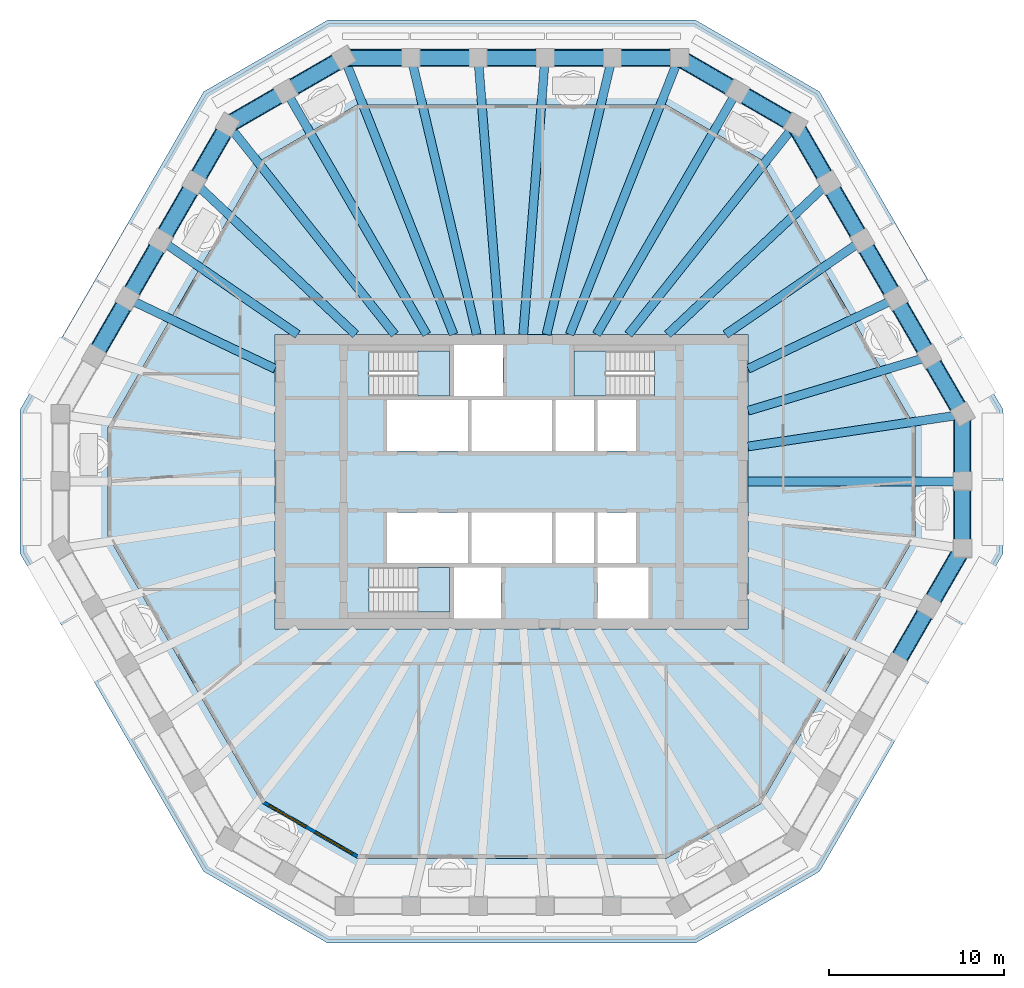
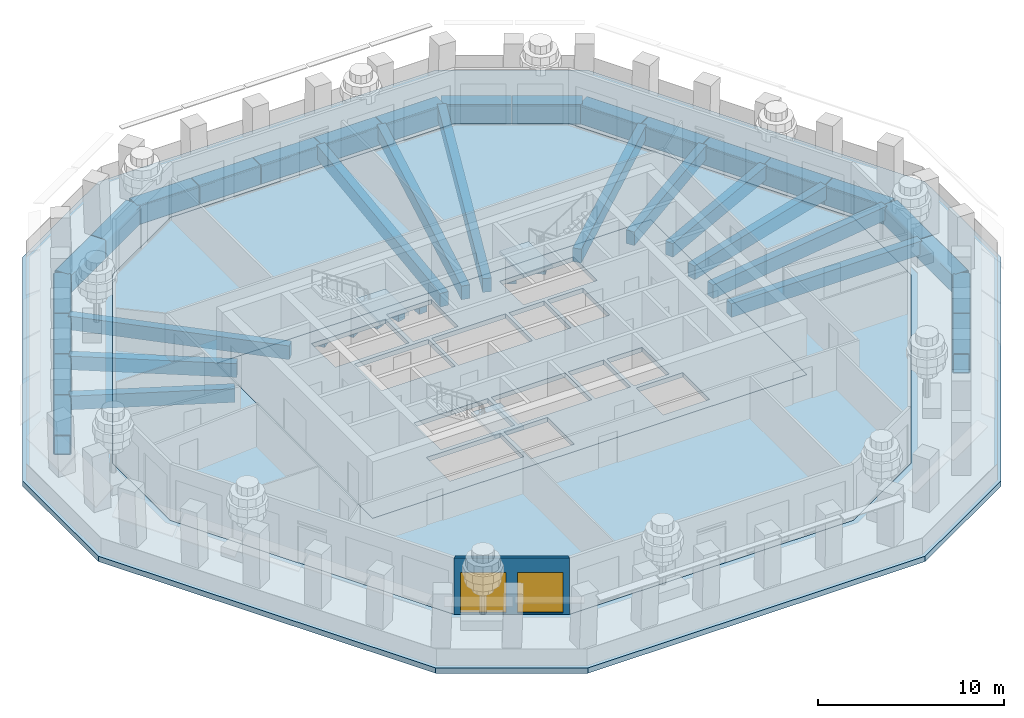
# One storey, part 2 of 12: 41 beams, 6 slabs, 2 windows, 1 wall, 2 openings, 3 elements without a shape of their own.
"""IFC4 building model written with IfcOpenShell, lengths in metres."""

from ifc_helpers import new_model, si_unit, direction, frame, frame_2d, origin, origin_2d, place, context, subcontext, project, spatial, polyline, rectangle, hollow_rectangle, outline, extrude, material, layer, layer_set, material_profile, profile_set, type_object, element, fill, aggregate, save


model = new_model("IFC4")

# Units and contexts
model_context = context("Model", 3, precision=1e-05, world=origin(), true_north=direction((0.0, 1.0)))
body_context = subcontext(model_context, "Body", "Model", "MODEL_VIEW")
ifc_project = project(units=[si_unit("LENGTHUNIT", "METRE"), si_unit("AREAUNIT", "SQUARE_METRE"), si_unit("VOLUMEUNIT", "CUBIC_METRE"), si_unit("PLANEANGLEUNIT", "RADIAN"), si_unit("MASSUNIT", "GRAM", prefix="KILO")], contexts=[model_context])

# Site, building, storey
site_placement = place(None, origin())
site = spatial("IfcSite", under=ifc_project, at=site_placement, CompositionType="ELEMENT")
building_placement = place(site_placement, origin())
building = spatial("IfcBuilding", under=site, at=building_placement, Name="Frailejon Research Tower", CompositionType="ELEMENT")
storey_placement = place(building_placement, frame((0.0, 0.0, 211.39990234375)))
storey = spatial("IfcBuildingStorey", under=building, at=storey_placement, Name="L45", CompositionType="ELEMENT", Elevation=211.39990234375)

# Beams
ifc_material_1 = material(Name="Steel S355", Category="steel")
ifc_material_profile_1 = material_profile(ifc_material_1, hollow_rectangle(XDim=1.0, YDim=1.300048828125, WallThickness=0.06005859375, InnerFilletRadius=0.06005859375, OuterFilletRadius=0.1201171875, at=origin_2d()), Name="Belt chord")
ifc_profile_set_1 = profile_set([ifc_material_profile_1], Name="Steel S355")
beam_type_1 = type_object("IfcBeamType", Name="Belt chord", PredefinedType="BEAM", material=ifc_profile_set_1)
for number, where, z_axis, x_axis, name in (
    (1, (25.734375, -3.806640625, -1.0), (0.0, 1.0, 0.0), (-1.0, 0.0, 0.0), "Belt chord"),
    (2, (25.734375, 0.02001953125, -1.0), (0.0, 1.0, 0.0), (-1.0, 0.0, 0.0), "Belt chord"),
):
    element("IfcBeam", number, at=place(storey_placement, frame(where, z_axis=z_axis, x_axis=x_axis)), inside=storey, type_object=beam_type_1, Name=name, PredefinedType="BEAM", context=body_context, shape_type="SweptSolid", body=[
        extrude(hollow_rectangle(XDim=1.0, YDim=1.300048828125, WallThickness=0.06005859375, InnerFilletRadius=0.06005859375, OuterFilletRadius=0.1201171875, at=origin_2d()), origin(), (0.0, 0.0, 1.0), 3.78662109375),
    ])
for number, where, z_axis, x_axis, name in (
    (3, (25.724365234375, 3.843994140625, -1.0), (-0.500000040646, 0.866025380318, 0.0), (-0.866025380318, -0.500000040646, 0.0), "Belt chord"),
    (4, (23.813720703125, 7.1533203125, -1.0), (-0.500000040646, 0.866025380318, 0.0), (-0.866025380318, -0.500000040646, 0.0), "Belt chord"),
    (5, (21.903076171875, 10.462646484375, -1.0), (-0.500000040646, 0.866025380318, 0.0), (-0.866025380318, -0.500000040646, 0.0), "Belt chord"),
    (6, (19.992431640625, 13.77197265625, -1.0), (-0.500000040646, 0.866025380318, 0.0), (-0.866025380318, -0.500000040646, 0.0), "Belt chord"),
    (7, (18.081787109375, 17.081298828125, -1.0), (-0.500000040646, 0.866025380318, 0.0), (-0.866025380318, -0.500000040646, 0.0), "Belt chord"),
):
    element("IfcBeam", number, at=place(storey_placement, frame(where, z_axis=z_axis, x_axis=x_axis)), inside=storey, type_object=beam_type_1, Name=name, PredefinedType="BEAM", context=body_context, shape_type="SweptSolid", body=[
        extrude(hollow_rectangle(XDim=1.0, YDim=1.300048828125, WallThickness=0.06005859375, InnerFilletRadius=0.06005859375, OuterFilletRadius=0.1201171875, at=origin_2d()), origin(), (0.0, 0.0, 1.0), 3.78125),
    ])
for number, where, z_axis, x_axis, name in (
    (8, (16.163818359375, 20.38330078125, -1.0), (-0.86602453317, 0.500001507946, 0.0), (-0.500001507946, -0.86602453317, 0.0), "Belt chord"),
    (9, (12.849853515625, 22.296630859375, -1.0), (-0.86602453317, 0.500001507946, 0.0), (-0.500001507946, -0.86602453317, 0.0), "Belt chord"),
):
    element("IfcBeam", number, at=place(storey_placement, frame(where, z_axis=z_axis, x_axis=x_axis)), inside=storey, type_object=beam_type_1, Name=name, PredefinedType="BEAM", context=body_context, shape_type="SweptSolid", body=[
        extrude(hollow_rectangle(XDim=1.0, YDim=1.300048828125, WallThickness=0.06005859375, InnerFilletRadius=0.06005859375, OuterFilletRadius=0.1201171875, at=origin_2d()), origin(), (0.0, 0.0, 1.0), 3.78662109375),
    ])
for number, where, z_axis, x_axis, name in (
    (10, (9.533203125, 24.199951171875, -1.0), (-1.0, 0.0, 0.0), (0.0, -1.0, 0.0), "Belt chord"),
    (11, (5.7119140625, 24.199951171875, -1.0), (-1.0, 0.0, 0.0), (0.0, -1.0, 0.0), "Belt chord"),
    (12, (1.890625, 24.199951171875, -1.0), (-1.0, 0.0, 0.0), (0.0, -1.0, 0.0), "Belt chord"),
    (13, (-1.9306640625, 24.199951171875, -1.0), (-1.0, 0.0, 0.0), (0.0, -1.0, 0.0), "Belt chord"),
    (14, (-5.751953125, 24.199951171875, -1.0), (-1.0, 0.0, 0.0), (0.0, -1.0, 0.0), "Belt chord"),
):
    element("IfcBeam", number, at=place(storey_placement, frame(where, z_axis=z_axis, x_axis=x_axis)), inside=storey, type_object=beam_type_1, Name=name, PredefinedType="BEAM", context=body_context, shape_type="SweptSolid", body=[
        extrude(hollow_rectangle(XDim=1.0, YDim=1.300048828125, WallThickness=0.06005859375, InnerFilletRadius=0.06005859375, OuterFilletRadius=0.1201171875, at=origin_2d()), origin(), (0.0, 0.0, 1.0), 3.78125),
    ])
for number, where, z_axis, x_axis, name in (
    (15, (-9.570556640625, 24.18994140625, -1.0), (-0.86602453317, -0.500001507946, 0.0), (0.500001507946, -0.86602453317, 0.0), "Belt chord"),
    (16, (-12.884521484375, 22.276611328125, -1.0), (-0.86602453317, -0.500001507946, 0.0), (0.500001507946, -0.86602453317, 0.0), "Belt chord"),
):
    element("IfcBeam", number, at=place(storey_placement, frame(where, z_axis=z_axis, x_axis=x_axis)), inside=storey, type_object=beam_type_1, Name=name, PredefinedType="BEAM", context=body_context, shape_type="SweptSolid", body=[
        extrude(hollow_rectangle(XDim=1.0, YDim=1.300048828125, WallThickness=0.06005859375, InnerFilletRadius=0.06005859375, OuterFilletRadius=0.1201171875, at=origin_2d()), origin(), (0.0, 0.0, 1.0), 3.78662109375),
    ])
for number, where, z_axis, x_axis, name in (
    (17, (-16.191162109375, 20.35595703125, -1.0), (-0.500000040646, -0.866025380318, 0.0), (0.866025380318, -0.500000040646, 0.0), "Belt chord"),
    (18, (-18.101806640625, 17.046630859375, -1.0), (-0.500000040646, -0.866025380318, 0.0), (0.866025380318, -0.500000040646, 0.0), "Belt chord"),
    (19, (-20.012451171875, 13.7373046875, -1.0), (-0.500000040646, -0.866025380318, 0.0), (0.866025380318, -0.500000040646, 0.0), "Belt chord"),
    (20, (-21.923095703125, 10.427978515625, -1.0), (-0.500000040646, -0.866025380318, 0.0), (0.866025380318, -0.500000040646, 0.0), "Belt chord"),
    (21, (21.923095703125, -10.427978515625, -1.0), (0.500000040646, 0.866025380318, 0.0), (-0.866025380318, 0.500000040646, 0.0), "Belt chord"),
    (22, (23.833740234375, -7.11865234375, -1.0), (0.500000040646, 0.866025380318, 0.0), (-0.866025380318, 0.500000040646, 0.0), "Belt chord"),
):
    element("IfcBeam", number, at=place(storey_placement, frame(where, z_axis=z_axis, x_axis=x_axis)), inside=storey, type_object=beam_type_1, Name=name, PredefinedType="BEAM", context=body_context, shape_type="SweptSolid", body=[
        extrude(hollow_rectangle(XDim=1.0, YDim=1.300048828125, WallThickness=0.06005859375, InnerFilletRadius=0.06005859375, OuterFilletRadius=0.1201171875, at=origin_2d()), origin(), (0.0, 0.0, 1.0), 3.78125),
    ])
ifc_material_2 = material(Name="Concrete C60/75", Category="concrete")
ifc_material_profile_2 = material_profile(ifc_material_2, rectangle(XDim=0.5, YDim=0.89990234375, at=origin_2d()), Name="Girder 500x900")
ifc_profile_set_2 = profile_set([ifc_material_profile_2], Name="Concrete C60/75")
beam_type_2 = type_object("IfcBeamType", Name="Girder 500x900", PredefinedType="BEAM", material=ifc_profile_set_2)
beam_1_placement = place(storey_placement, frame((25.359375, 0.0, -0.75), z_axis=(-1.0, 0.0, 0.0), x_axis=(0.0, -1.0, 0.0)))
element("IfcBeam", 23, at=beam_1_placement, inside=storey, type_object=beam_type_2, Name="Girder 500x900", PredefinedType="BEAM", context=body_context, shape_type="SweptSolid", body=[
    extrude(rectangle(XDim=0.5, YDim=0.89990234375, at=origin_2d()), origin(), (0.0, 0.0, 1.0), 11.859375),
])
beam_2_placement = place(storey_placement, frame((25.324462890625, 3.765625, -0.75), z_axis=(-0.989124149888, -0.147083024539, 0.0), x_axis=(0.147083024539, -0.989124149888, 0.0)))
element("IfcBeam", 24, at=beam_2_placement, inside=storey, type_object=beam_type_2, Name="Girder 500x900", PredefinedType="BEAM", context=body_context, shape_type="SweptSolid", body=[
    extrude(rectangle(XDim=0.5, YDim=0.89990234375, at=origin_2d()), origin(), (0.0, 0.0, 1.0), 11.95458984375),
])
beam_3_placement = place(storey_placement, frame((23.45068359375, 7.024169921875, -0.75), z_axis=(-0.957951689107, -0.286929540719, 0.0), x_axis=(0.286929540719, -0.957951689107, 0.0)))
element("IfcBeam", 25, at=beam_3_placement, inside=storey, type_object=beam_type_2, Name="Girder 500x900", PredefinedType="BEAM", context=body_context, shape_type="SweptSolid", body=[
    extrude(rectangle(XDim=0.5, YDim=0.89990234375, at=origin_2d()), origin(), (0.0, 0.0, 1.0), 10.387451171875),
])
beam_4_placement = place(storey_placement, frame((21.572998046875, 10.283203125, -0.75), z_axis=(-0.902692922799, -0.430285355465, 0.0), x_axis=(0.430285355465, -0.902692922799, 0.0)))
element("IfcBeam", 26, at=beam_4_placement, inside=storey, type_object=beam_type_2, Name="Girder 500x900", PredefinedType="BEAM", context=body_context, shape_type="SweptSolid", body=[
    extrude(rectangle(XDim=0.5, YDim=0.89990234375, at=origin_2d()), origin(), (0.0, 0.0, 1.0), 8.943359375),
])
beam_5_placement = place(storey_placement, frame((19.692138671875, 13.541259765625, -0.75), z_axis=(-0.823979113935, -0.566620172425, 0.0), x_axis=(0.566620172425, -0.823979113935, 0.0)))
element("IfcBeam", 27, at=beam_5_placement, inside=storey, type_object=beam_type_2, Name="Girder 500x900", PredefinedType="BEAM", context=body_context, shape_type="SweptSolid", body=[
    extrude(rectangle(XDim=0.5, YDim=0.89990234375, at=origin_2d()), origin(), (0.0, 0.0, 1.0), 9.07373046875),
])
beam_6_placement = place(storey_placement, frame((17.80859375, 16.796630859375, -0.75), z_axis=(-0.727472748297, -0.68613657568, 0.0), x_axis=(0.68613657568, -0.727472748297, 0.0)))
element("IfcBeam", 28, at=beam_6_placement, inside=storey, type_object=beam_type_2, Name="Girder 500x900", PredefinedType="BEAM", context=body_context, shape_type="SweptSolid", body=[
    extrude(rectangle(XDim=0.5, YDim=0.89990234375, at=origin_2d()), origin(), (0.0, 0.0, 1.0), 12.23779296875),
])
beam_7_placement = place(storey_placement, frame((15.9443359375, 20.0751953125, -0.75), z_axis=(-0.621929399044, -0.783073318793, 0.0), x_axis=(0.783073318793, -0.621929399044, 0.0)))
element("IfcBeam", 29, at=beam_7_placement, inside=storey, type_object=beam_type_2, Name="Girder 500x900", PredefinedType="BEAM", context=body_context, shape_type="SweptSolid", body=[
    extrude(rectangle(XDim=0.5, YDim=0.89990234375, at=origin_2d()), origin(), (0.0, 0.0, 1.0), 14.90966796875),
])
beam_8_placement = place(storey_placement, frame((12.6796875, 21.9619140625, -0.75), z_axis=(-0.499990558751, -0.866030854623, 0.0), x_axis=(0.866030854623, -0.499990558751, 0.0)))
element("IfcBeam", 30, at=beam_8_placement, inside=storey, type_object=beam_type_2, Name="Girder 500x900", PredefinedType="BEAM", context=body_context, shape_type="SweptSolid", body=[
    extrude(rectangle(XDim=0.5, YDim=0.89990234375, at=origin_2d()), origin(), (0.0, 0.0, 1.0), 15.659912109375),
])
beam_9_placement = place(storey_placement, frame((9.40087890625, 23.814453125, -0.75), z_axis=(-0.367180622344, -0.93014966031, 0.0), x_axis=(0.93014966031, -0.367180622344, 0.0)))
element("IfcBeam", 31, at=beam_9_placement, inside=storey, type_object=beam_type_2, Name="Girder 500x900", PredefinedType="BEAM", context=body_context, shape_type="SweptSolid", body=[
    extrude(rectangle(XDim=0.5, YDim=0.89990234375, at=origin_2d()), origin(), (0.0, 0.0, 1.0), 16.572021484375),
])
beam_10_placement = place(storey_placement, frame((5.64208984375, 23.821044921875, -0.75), z_axis=(-0.230479051582, -0.973077287158, 0.0), x_axis=(0.973077287158, -0.230479051582, 0.0)))
element("IfcBeam", 32, at=beam_10_placement, inside=storey, type_object=beam_type_2, Name="Girder 500x900", PredefinedType="BEAM", context=body_context, shape_type="SweptSolid", body=[
    extrude(rectangle(XDim=0.5, YDim=0.89990234375, at=origin_2d()), origin(), (0.0, 0.0, 1.0), 15.847900390625),
])
for number, where, z_axis, x_axis, name in (
    (33, (1.881103515625, 23.824462890625, -0.75), (-0.078721055235, -0.996896682441, 0.0), (0.996896682441, -0.078721055235, 0.0), "Girder 500x900"),
    (34, (-1.881103515625, 23.824462890625, -0.75), (0.078721055235, -0.996896682441, 0.0), (0.996896682441, 0.078721055235, 0.0), "Girder 500x900"),
):
    element("IfcBeam", number, at=place(storey_placement, frame(where, z_axis=z_axis, x_axis=x_axis)), inside=storey, type_object=beam_type_2, Name=name, PredefinedType="BEAM", context=body_context, shape_type="SweptSolid", body=[
        extrude(rectangle(XDim=0.5, YDim=0.89990234375, at=origin_2d()), origin(), (0.0, 0.0, 1.0), 15.47265625),
    ])
beam_11_placement = place(storey_placement, frame((-5.64208984375, 23.821044921875, -0.75), z_axis=(0.230479051582, -0.973077287158, 0.0), x_axis=(0.973077287158, 0.230479051582, 0.0)))
element("IfcBeam", 35, at=beam_11_placement, inside=storey, type_object=beam_type_2, Name="Girder 500x900", PredefinedType="BEAM", context=body_context, shape_type="SweptSolid", body=[
    extrude(rectangle(XDim=0.5, YDim=0.89990234375, at=origin_2d()), origin(), (0.0, 0.0, 1.0), 15.847900390625),
])
beam_12_placement = place(storey_placement, frame((-9.413330078125, 23.845703125, -0.75), z_axis=(0.367186619097, -0.930147293044, 0.0), x_axis=(0.930147293044, 0.367186619097, 0.0)))
element("IfcBeam", 36, at=beam_12_placement, inside=storey, type_object=beam_type_2, Name="Girder 500x900", PredefinedType="BEAM", context=body_context, shape_type="SweptSolid", body=[
    extrude(rectangle(XDim=0.5, YDim=0.89990234375, at=origin_2d()), origin(), (0.0, 0.0, 1.0), 16.605712890625),
])
beam_13_placement = place(storey_placement, frame((-12.6796875, 21.9619140625, -0.75), z_axis=(0.499990558751, -0.866030854623, 0.0), x_axis=(0.866030854623, 0.499990558751, 0.0)))
element("IfcBeam", 37, at=beam_13_placement, inside=storey, type_object=beam_type_2, Name="Girder 500x900", PredefinedType="BEAM", context=body_context, shape_type="SweptSolid", body=[
    extrude(rectangle(XDim=0.5, YDim=0.89990234375, at=origin_2d()), origin(), (0.0, 0.0, 1.0), 15.659912109375),
])
beam_14_placement = place(storey_placement, frame((-15.923583984375, 20.048828125, -0.75), z_axis=(0.621937201743, -0.7830671217, 0.0), x_axis=(0.7830671217, 0.621937201743, 0.0)))
element("IfcBeam", 38, at=beam_14_placement, inside=storey, type_object=beam_type_2, Name="Girder 500x900", PredefinedType="BEAM", context=body_context, shape_type="SweptSolid", body=[
    extrude(rectangle(XDim=0.5, YDim=0.89990234375, at=origin_2d()), origin(), (0.0, 0.0, 1.0), 14.8759765625),
])
beam_15_placement = place(storey_placement, frame((-17.80859375, 16.796630859375, -0.75), z_axis=(0.727472748297, -0.68613657568, 0.0), x_axis=(0.68613657568, 0.727472748297, 0.0)))
element("IfcBeam", 39, at=beam_15_placement, inside=storey, type_object=beam_type_2, Name="Girder 500x900", PredefinedType="BEAM", context=body_context, shape_type="SweptSolid", body=[
    extrude(rectangle(XDim=0.5, YDim=0.89990234375, at=origin_2d()), origin(), (0.0, 0.0, 1.0), 12.23779296875),
])
beam_16_placement = place(storey_placement, frame((-19.692138671875, 13.541259765625, -0.75), z_axis=(0.823979113935, -0.566620172425, 0.0), x_axis=(0.566620172425, 0.823979113935, 0.0)))
element("IfcBeam", 40, at=beam_16_placement, inside=storey, type_object=beam_type_2, Name="Girder 500x900", PredefinedType="BEAM", context=body_context, shape_type="SweptSolid", body=[
    extrude(rectangle(XDim=0.5, YDim=0.89990234375, at=origin_2d()), origin(), (0.0, 0.0, 1.0), 9.07373046875),
])
beam_17_placement = place(storey_placement, frame((-21.572998046875, 10.283203125, -0.75), z_axis=(0.902692922799, -0.430285355465, 0.0), x_axis=(0.430285355465, 0.902692922799, 0.0)))
element("IfcBeam", 41, at=beam_17_placement, inside=storey, type_object=beam_type_2, Name="Girder 500x900", PredefinedType="BEAM", context=body_context, shape_type="SweptSolid", body=[
    extrude(rectangle(XDim=0.5, YDim=0.89990234375, at=origin_2d()), origin(), (0.0, 0.0, 1.0), 8.943359375),
])

# Slabs
ifc_material_3 = material(Name="Concrete C60/75", Category="concrete")
ifc_layer_1 = layer(ifc_material_3, 0.300048828125)
ifc_layer_set_1 = layer_set([ifc_layer_1], Name="Core floor slab 300 C60/75")
slab_type_1 = type_object("IfcSlabType", Name="Core floor slab 300 C60/75", PredefinedType="FLOOR", material=ifc_layer_set_1)
slab_1_placement = place(storey_placement, frame((0.0, 0.0, -0.2998046875)))
element("IfcSlab", 42, at=slab_1_placement, inside=storey, type_object=slab_type_1, Name="Core floor slab", PredefinedType="FLOOR", context=body_context, shape_type="SweptSolid", body=[
    extrude(outline(polyline([(13.5, -8.39990234375), (13.5, 8.39990234375), (-13.5, 8.39990234375), (-13.5, -8.39990234375), (13.5, -8.39990234375)]), holes=[polyline([(-2.5, 1.75), (-2.5, 4.64990234375), (-7.10009765625, 4.64990234375), (-7.10009765625, 1.75), (-2.5, 1.75)]), polyline([(2.300048828125, 1.75), (2.300048828125, 4.64990234375), (-2.300048828125, 4.64990234375), (-2.300048828125, 1.75), (2.300048828125, 1.75)]), polyline([(4.699951171875, 1.75), (4.699951171875, 4.64990234375), (2.5, 4.64990234375), (2.5, 1.75), (4.699951171875, 1.75)]), polyline([(7.10009765625, 1.75), (7.10009765625, 4.64990234375), (4.89990234375, 4.64990234375), (4.89990234375, 1.75), (7.10009765625, 1.75)]), polyline([(-2.5, -4.64990234375), (-2.5, -1.75), (-7.10009765625, -1.75), (-7.10009765625, -4.64990234375), (-2.5, -4.64990234375)]), polyline([(2.300048828125, -4.64990234375), (2.300048828125, -1.75), (-2.300048828125, -1.75), (-2.300048828125, -4.64990234375), (2.300048828125, -4.64990234375)]), polyline([(4.699951171875, -4.64990234375), (4.699951171875, -1.75), (2.5, -1.75), (2.5, -4.64990234375), (4.699951171875, -4.64990234375)]), polyline([(7.10009765625, -4.64990234375), (7.10009765625, -1.75), (4.89990234375, -1.75), (4.89990234375, -4.64990234375), (7.10009765625, -4.64990234375)]), polyline([(-8.14697265625, 4.89990234375), (-3.550048828125, 4.89990234375), (-3.550048828125, 7.449951171875), (-8.14697265625, 7.449951171875), (-8.14697265625, 4.89990234375)]), polyline([(-8.14697265625, -7.449951171875), (-3.550048828125, -7.449951171875), (-3.550048828125, -4.89990234375), (-8.14697265625, -4.89990234375), (-8.14697265625, -7.449951171875)]), polyline([(8.14697265625, 7.449951171875), (3.550048828125, 7.449951171875), (3.550048828125, 4.89990234375), (8.14697265625, 4.89990234375), (8.14697265625, 7.449951171875)]), polyline([(-0.60009765625, -7.800048828125), (-0.60009765625, -4.89990234375), (-3.300048828125, -4.89990234375), (-3.300048828125, -7.800048828125), (-0.60009765625, -7.800048828125)]), polyline([(7.800048828125, -7.800048828125), (7.800048828125, -4.89990234375), (4.89990234375, -4.89990234375), (4.89990234375, -7.800048828125), (7.800048828125, -7.800048828125)]), polyline([(-0.5, 4.89990234375), (-0.5, 7.800048828125), (-3.300048828125, 7.800048828125), (-3.300048828125, 4.89990234375), (-0.5, 4.89990234375)])]), origin(), (0.0, 0.0, 1.0), 0.2998046875),
])
ifc_material_4 = material(Name="Concrete C40/50", Category="concrete")
ifc_layer_2 = layer(ifc_material_4, 0.35009765625)
ifc_layer_set_2 = layer_set([ifc_layer_2], Name="Setback terrace slab 350")
slab_type_2 = type_object("IfcSlabType", Name="Setback terrace slab 350", PredefinedType="ROOF", material=ifc_layer_set_2)
slab_2_placement = place(storey_placement, frame((0.0, 0.0, -0.349853515625)))
element("IfcSlab", 43, at=slab_2_placement, inside=storey, type_object=slab_type_2, Name="Setback terrace slab L45", PredefinedType="ROOF", context=body_context, shape_type="SweptSolid", body=[
    extrude(outline(polyline([(17.57666015625, -22.256103515625), (10.486083984375, -26.35009765625), (-10.486083984375, -26.35009765625), (-17.57666015625, -22.256103515625), (-28.062744140625, -4.09375), (-28.062744140625, 4.09375), (-17.57666015625, 22.256103515625), (-10.486083984375, 26.35009765625), (10.486083984375, 26.35009765625), (17.57666015625, 22.256103515625), (28.062744140625, 4.09375), (28.062744140625, -4.09375), (17.57666015625, -22.256103515625)]), holes=[polyline([(23.034423828125, 3.103271484375), (14.20458984375, 18.396728515625), (8.82958984375, 21.5), (-8.82958984375, 21.5), (-14.20458984375, 18.396728515625), (-23.034423828125, 3.103271484375), (-23.034423828125, -3.103271484375), (-14.20458984375, -18.396728515625), (-8.82958984375, -21.5), (8.82958984375, -21.5), (14.20458984375, -18.396728515625), (23.034423828125, -3.103271484375), (23.034423828125, 3.103271484375)])]), origin(), (0.0, 0.0, 1.0), 0.349853515625),
])
ifc_material_5 = material(Name="Concrete C40/50", Category="concrete")
ifc_layer_3 = layer(ifc_material_5, 0.300048828125)
ifc_layer_set_3 = layer_set([ifc_layer_3], Name="Slab typical 300")
slab_type_3 = type_object("IfcSlabType", Name="Slab typical 300", PredefinedType="FLOOR", material=ifc_layer_set_3)
slab_3_placement = place(storey_placement, frame((0.0, 0.0, -0.2998046875)))
element("IfcSlab", 44, at=slab_3_placement, inside=storey, type_object=slab_type_3, Name="Floor slab L45", PredefinedType="FLOOR", context=body_context, shape_type="SweptSolid", body=[
    extrude(outline(polyline([(23.034423828125, -3.103271484375), (23.034423828125, 3.103271484375), (14.20458984375, 18.396728515625), (8.82958984375, 21.5), (-8.82958984375, 21.5), (-14.20458984375, 18.396728515625), (-23.034423828125, 3.103271484375), (-23.034423828125, -3.103271484375), (-14.20458984375, -18.396728515625), (-8.82958984375, -21.5), (8.82958984375, -21.5), (14.20458984375, -18.396728515625), (23.034423828125, -3.103271484375)]), holes=[polyline([(13.5, -8.39990234375), (-13.5, -8.39990234375), (-13.5, 8.39990234375), (13.5, 8.39990234375), (13.5, -8.39990234375)])]), origin(), (0.0, 0.0, 1.0), 0.2998046875),
])

# Stair, slab
ifc_material_6 = material(Name="Concrete C50/60", Category="concrete")
stair_type = type_object("IfcStairType", Name="Exit stair 22 risers", PredefinedType="HALF_TURN_STAIR", material=ifc_material_6)
stair_1_placement = place(storey_placement, origin())
stair_1 = element("IfcStair", 45, at=stair_1_placement, inside=storey, type_object=stair_type, Name="L45 Exit stair ST1", PredefinedType="HALF_TURN_STAIR")
ifc_material_7 = material(Name="Concrete C50/60", Category="concrete")
ifc_layer_4 = layer(ifc_material_7, 0.199951171875)
ifc_layer_set_4 = layer_set([ifc_layer_4], Name="Stair landing slab 200")
slab_type_4 = type_object("IfcSlabType", Name="Stair landing slab 200", PredefinedType="LANDING", material=ifc_layer_set_4)
slab_4_placement = place(storey_placement, frame((0.0, 0.0, 1.800048828125)))
slab_4 = element("IfcSlab", 46, at=slab_4_placement, type_object=slab_type_4, Name="ST1 landing 1", PredefinedType="LANDING", context=body_context, shape_type="SweptSolid", body=[
    extrude(outline(polyline([(-5.35009765625, 4.89990234375), (-3.550048828125, 4.89990234375), (-3.550048828125, 7.449951171875), (-5.35009765625, 7.449951171875), (-5.35009765625, 4.89990234375)])), origin(), (0.0, 0.0, 1.0), 0.199951171875),
])
aggregate(stair_1, [slab_4])

stair_2_placement = place(storey_placement, origin())
stair_2 = element("IfcStair", 47, at=stair_2_placement, inside=storey, type_object=stair_type, Name="L45 Exit stair ST2", PredefinedType="HALF_TURN_STAIR")
slab_5_placement = place(storey_placement, frame((0.0, 0.0, 1.800048828125)))
slab_5 = element("IfcSlab", 48, at=slab_5_placement, type_object=slab_type_4, Name="ST2 landing 1", PredefinedType="LANDING", context=body_context, shape_type="SweptSolid", body=[
    extrude(outline(polyline([(-5.35009765625, -7.449951171875), (-3.550048828125, -7.449951171875), (-3.550048828125, -4.89990234375), (-5.35009765625, -4.89990234375), (-5.35009765625, -7.449951171875)])), origin(), (0.0, 0.0, 1.0), 0.199951171875),
])
aggregate(stair_2, [slab_5])

stair_3_placement = place(storey_placement, origin())
stair_3 = element("IfcStair", 49, at=stair_3_placement, inside=storey, type_object=stair_type, Name="L45 Exit stair ST3", PredefinedType="HALF_TURN_STAIR")
slab_6_placement = place(storey_placement, frame((0.0, 0.0, 1.800048828125)))
slab_6 = element("IfcSlab", 50, at=slab_6_placement, type_object=slab_type_4, Name="ST3 landing 1", PredefinedType="LANDING", context=body_context, shape_type="SweptSolid", body=[
    extrude(outline(polyline([(5.35009765625, 7.449951171875), (3.550048828125, 7.449951171875), (3.550048828125, 4.89990234375), (5.35009765625, 4.89990234375), (5.35009765625, 7.449951171875)])), origin(), (0.0, 0.0, 1.0), 0.199951171875),
])
aggregate(stair_3, [slab_6])

# Wall, openings, windows
ifc_material_8 = material(Name="Concrete C40/50 precast window wall panel", Category="concrete")
ifc_layer_5 = layer(ifc_material_8, 0.199951171875)
ifc_layer_set_5 = layer_set([ifc_layer_5], Name="Window wall 200")
wall_type = type_object("IfcWallType", Name="Window wall 200", PredefinedType="SOLIDWALL", material=ifc_layer_set_5)
wall_placement = place(storey_placement, frame((-14.131591796875, -18.323486328125, 0.0), z_axis=(0.0, 0.0, 1.0), x_axis=(0.866029647142, -0.499992650217, 0.0)))
wall = element("IfcWall", 51, at=wall_placement, inside=storey, type_object=wall_type, Name="Exterior wall L45", PredefinedType="SOLIDWALL", context=body_context, shape_type="SweptSolid", body=[
    extrude(outline(polyline([(-0.02685546875, -0.10009765625), (1.007568359375, -0.10009765625), (2.0419921875, -0.10009765625), (3.076416015625, -0.10009765625), (4.11083984375, -0.10009765625), (5.145263671875, -0.10009765625), (6.1796875, -0.10009765625), (6.1259765625, 0.10009765625), (5.109375, 0.10009765625), (4.093017578125, 0.10009765625), (3.076416015625, 0.10009765625), (2.059814453125, 0.10009765625), (1.04345703125, 0.10009765625), (0.02685546875, 0.10009765625), (-0.02685546875, -0.10009765625)])), origin(), (0.0, 0.0, 1.0), 3.7001953125),
])
opening_1_placement = place(wall_placement, frame((0.313232421875, 0.0, 0.10009765625)))
opening_1 = element("IfcOpeningElement", 52, at=opening_1_placement, cuts=wall, Name="Opening W17", PredefinedType="OPENING", context=body_context, shape_type="SweptSolid", body=[
    extrude(rectangle(XDim=2.449951171875, YDim=2.64990234375, at=frame_2d((1.22509765625, 1.324951171875))), frame((0.0, 0.10986328125, 0.0), z_axis=(0.0, -1.0, 0.0), x_axis=(1.0, 0.0, 0.0)), (0.0, 0.0, 1.0), 0.219970703125),
])
opening_2_placement = place(wall_placement, frame((3.3896484375, 0.0, 0.10009765625)))
opening_2 = element("IfcOpeningElement", 53, at=opening_2_placement, cuts=wall, Name="Opening W17", PredefinedType="OPENING", context=body_context, shape_type="SweptSolid", body=[
    extrude(rectangle(XDim=2.449951171875, YDim=2.64990234375, at=frame_2d((1.22509765625, 1.324951171875))), frame((0.0, 0.10986328125, 0.0), z_axis=(0.0, -1.0, 0.0), x_axis=(1.0, 0.0, 0.0)), (0.0, 0.0, 1.0), 0.219970703125),
])
ifc_material_9 = material(Name="Aluminium framed double glazing", Category="aluminium")
window_type = type_object("IfcWindowType", Name="Window 2450x2650", PartitioningType="SINGLE_PANEL", PredefinedType="WINDOW", material=ifc_material_9)
window_1_placement = place(opening_1_placement, origin())
window_1 = element("IfcWindow", 54, at=window_1_placement, inside=storey, type_object=window_type, Name="Window L45", OverallHeight=2.64990234375, OverallWidth=2.449951171875, PartitioningType="SINGLE_PANEL", PredefinedType="WINDOW", context=body_context, shape_type="SweptSolid", body=[
    extrude(rectangle(XDim=2.449951171875, YDim=2.64990234375, at=frame_2d((1.22509765625, 1.324951171875))), frame((0.0, 0.030029296875, 0.0), z_axis=(0.0, -1.0, 0.0), x_axis=(1.0, 0.0, 0.0)), (0.0, 0.0, 1.0), 0.06005859375),
])
fill(opening_1, window_1)
window_2_placement = place(opening_2_placement, origin())
window_2 = element("IfcWindow", 55, at=window_2_placement, inside=storey, type_object=window_type, Name="Window L45", OverallHeight=2.64990234375, OverallWidth=2.449951171875, PartitioningType="SINGLE_PANEL", PredefinedType="WINDOW", context=body_context, shape_type="SweptSolid", body=[
    extrude(rectangle(XDim=2.449951171875, YDim=2.64990234375, at=frame_2d((1.22509765625, 1.324951171875))), frame((0.0, 0.030029296875, 0.0), z_axis=(0.0, -1.0, 0.0), x_axis=(1.0, 0.0, 0.0)), (0.0, 0.0, 1.0), 0.06005859375),
])
fill(opening_2, window_2)

save(model, "model.ifc")
